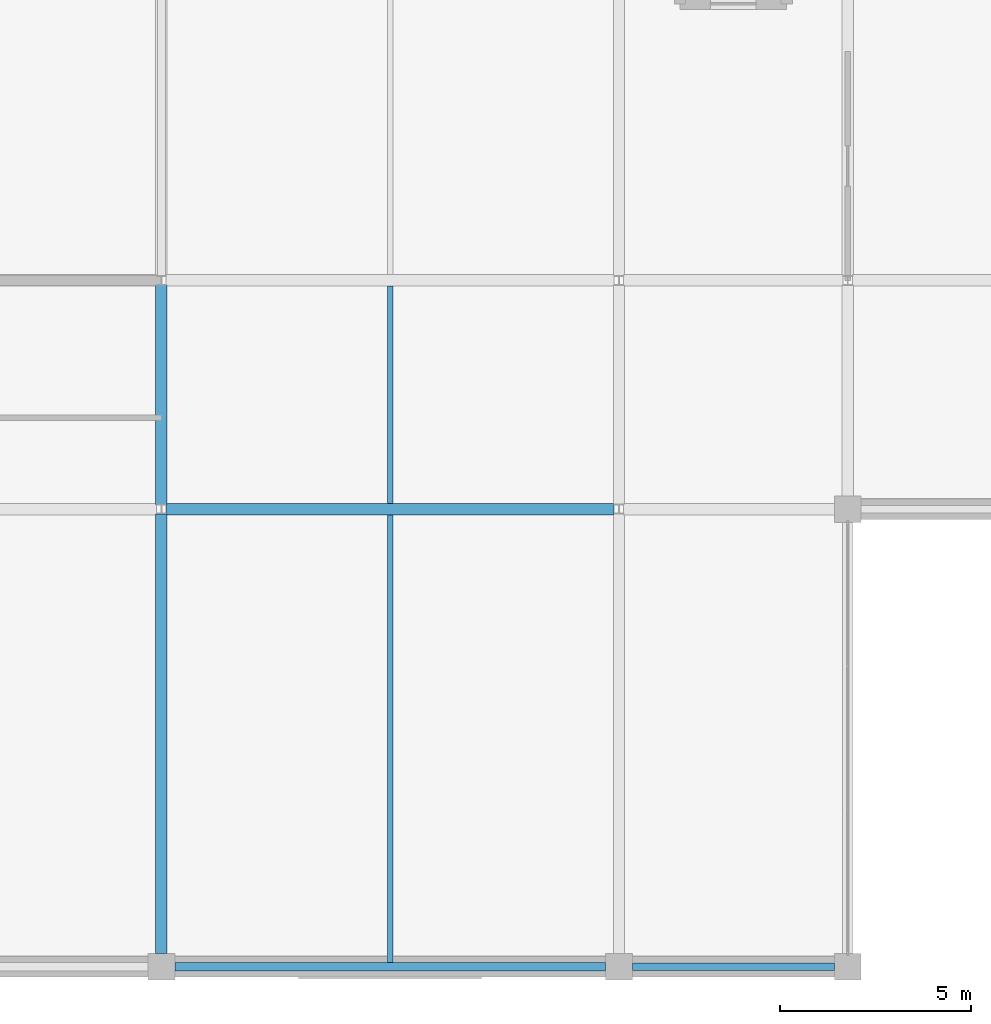
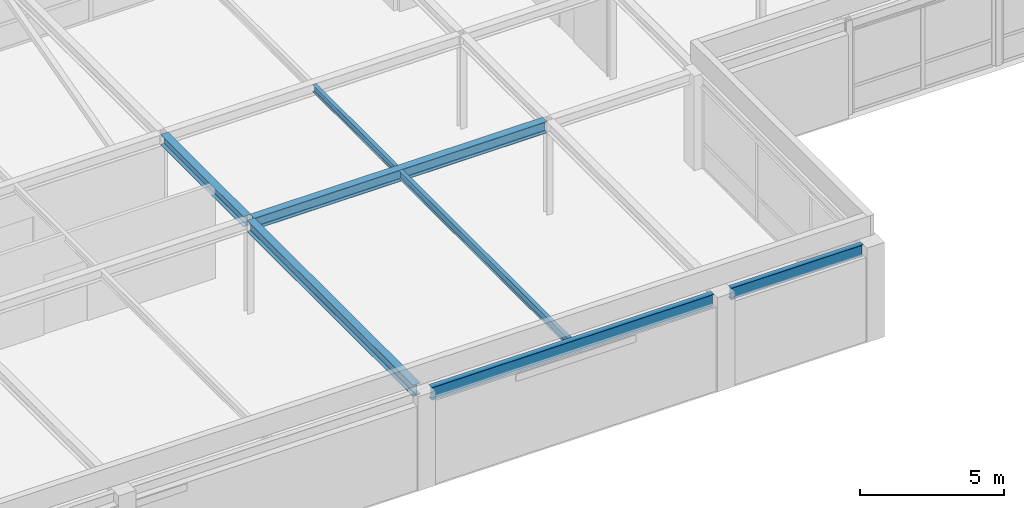
# One storey, part 32 of 111: 7 beams.
"""IFC4 building model written with IfcOpenShell, lengths in metres."""

from ifc_helpers import new_model, si_unit, direction, frame, origin, origin_2d, place, context, subcontext, project, spatial, i_section, extrude, material, material_profile, profile_set, type_object, element, save


model = new_model("IFC4")

# Units and contexts
model_context = context("Model", 3, precision=1e-05, world=origin(), true_north=direction((0.0, 1.0)))
body_context = subcontext(model_context, "Body", "Model", "MODEL_VIEW")
ifc_project = project(units=[si_unit("LENGTHUNIT", "METRE"), si_unit("AREAUNIT", "SQUARE_METRE"), si_unit("VOLUMEUNIT", "CUBIC_METRE"), si_unit("PLANEANGLEUNIT", "RADIAN"), si_unit("MASSUNIT", "GRAM", prefix="KILO")], contexts=[model_context])

# Site, building, storey
site_placement = place(None, origin())
site = spatial("IfcSite", under=ifc_project, at=site_placement, CompositionType="ELEMENT")
building_placement = place(site_placement, origin())
building = spatial("IfcBuilding", under=site, at=building_placement, Name="Zlatovratsky Civic Hall", CompositionType="ELEMENT")
storey_placement = place(building_placement, frame((0.0, 0.0, 16.5)))
storey = spatial("IfcBuildingStorey", under=building, at=storey_placement, Name="L04", CompositionType="ELEMENT", Elevation=16.5)

# Beams
ifc_material = material(Name="Steel S355", Category="steel")
ifc_material_profile_1 = material_profile(ifc_material, i_section(OverallWidth=0.300048828125, OverallDepth=0.487060546875, WebThickness=0.014404296875, FlangeThickness=0.017578125, FilletRadius=0.02392578125, at=origin_2d()), Name="50Sh2")
ifc_profile_set_1 = profile_set([ifc_material_profile_1], Name="Steel S355")
beam_type_1 = type_object("IfcBeamType", Name="Beam_ArchiveGirder_50Sh2", PredefinedType="BEAM", material=ifc_profile_set_1)
beam_1_placement = place(storey_placement, frame((36.125, 12.0, 3.756591796875), z_axis=(1.0, 0.0, 0.0), x_axis=(0.0, 1.0, 0.0)))
element("IfcBeam", 1, at=beam_1_placement, inside=storey, type_object=beam_type_1, Name="BM-3216", PredefinedType="BEAM", context=body_context, shape_type="SweptSolid", body=[
    extrude(i_section(OverallWidth=0.300048828125, OverallDepth=0.487060546875, WebThickness=0.014404296875, FlangeThickness=0.017578125, FilletRadius=0.02392578125, at=origin_2d()), origin(), (0.0, 0.0, 1.0), 11.75),
])
beam_2_placement = place(storey_placement, frame((36.0, 0.35009765625, 3.756591796875), z_axis=(0.0, 1.0, 0.0), x_axis=(-1.0, 0.0, 0.0)))
element("IfcBeam", 2, at=beam_2_placement, inside=storey, type_object=beam_type_1, Name="BM-3574", PredefinedType="BEAM", context=body_context, shape_type="SweptSolid", body=[
    extrude(i_section(OverallWidth=0.300048828125, OverallDepth=0.487060546875, WebThickness=0.014404296875, FlangeThickness=0.017578125, FilletRadius=0.02392578125, at=origin_2d()), origin(), (0.0, 0.0, 1.0), 11.52490234375),
])
ifc_material_profile_2 = material_profile(ifc_material, i_section(OverallWidth=0.198974609375, OverallDepth=0.491943359375, WebThickness=0.0087890625, FlangeThickness=0.011962890625, FilletRadius=0.01611328125, at=origin_2d()), Name="50B1")
ifc_profile_set_2 = profile_set([ifc_material_profile_2], Name="Steel S355")
beam_type_2 = type_object("IfcBeamType", Name="Beam_Spandrel_50B1", PredefinedType="SPANDREL", material=ifc_profile_set_2)
beam_3_placement = place(storey_placement, frame((48.35009765625, 0.0, 3.75390625), z_axis=(1.0, 0.0, 0.0), x_axis=(0.0, 1.0, 0.0)))
element("IfcBeam", 3, at=beam_3_placement, inside=storey, type_object=beam_type_2, Name="BM-3205", PredefinedType="SPANDREL", context=body_context, shape_type="SweptSolid", body=[
    extrude(i_section(OverallWidth=0.198974609375, OverallDepth=0.491943359375, WebThickness=0.0087890625, FlangeThickness=0.011962890625, FilletRadius=0.01611328125, at=origin_2d()), origin(), (0.0, 0.0, 1.0), 5.2998046875),
])
ifc_material_profile_3 = material_profile(ifc_material, i_section(OverallWidth=0.219970703125, OverallDepth=0.54296875, WebThickness=0.009521484375, FlangeThickness=0.013427734375, FilletRadius=0.01806640625, at=origin_2d()), Name="55B1")
ifc_profile_set_3 = profile_set([ifc_material_profile_3], Name="Steel S355")
beam_type_3 = type_object("IfcBeamType", Name="Beam_Spandrel_55B1", PredefinedType="SPANDREL", material=ifc_profile_set_3)
beam_4_placement = place(storey_placement, frame((36.35009765625, 0.0, 3.728515625), z_axis=(1.0, 0.0, 0.0), x_axis=(0.0, 1.0, 0.0)))
element("IfcBeam", 4, at=beam_4_placement, inside=storey, type_object=beam_type_3, Name="BM-3204", PredefinedType="SPANDREL", context=body_context, shape_type="SweptSolid", body=[
    extrude(i_section(OverallWidth=0.219970703125, OverallDepth=0.54296875, WebThickness=0.009521484375, FlangeThickness=0.013427734375, FilletRadius=0.01806640625, at=origin_2d()), origin(), (0.0, 0.0, 1.0), 11.2998046875),
])
ifc_material_profile_4 = material_profile(ifc_material, i_section(OverallWidth=0.300048828125, OverallDepth=0.43994140625, WebThickness=0.010986328125, FlangeThickness=0.01806640625, FilletRadius=0.02197265625, at=origin_2d()), Name="45Sh1")
ifc_profile_set_4 = profile_set([ifc_material_profile_4], Name="Steel S355")
beam_type_4 = type_object("IfcBeamType", Name="Beam_TowerLow_45Sh1", PredefinedType="BEAM", material=ifc_profile_set_4)
beam_5_placement = place(storey_placement, frame((36.0, 12.125, 3.780029296875), z_axis=(0.0, 1.0, 0.0), x_axis=(-1.0, 0.0, 0.0)))
element("IfcBeam", 5, at=beam_5_placement, inside=storey, type_object=beam_type_4, Name="BM-3575", PredefinedType="BEAM", context=body_context, shape_type="SweptSolid", body=[
    extrude(i_section(OverallWidth=0.300048828125, OverallDepth=0.43994140625, WebThickness=0.010986328125, FlangeThickness=0.01806640625, FilletRadius=0.02197265625, at=origin_2d()), origin(), (0.0, 0.0, 1.0), 5.75),
])
ifc_material_profile_5 = material_profile(ifc_material, i_section(OverallWidth=0.155029296875, OverallDepth=0.345947265625, WebThickness=0.006103515625, FlangeThickness=0.008544921875, FilletRadius=0.013916015625, at=origin_2d()), Name="35B1")
ifc_profile_set_5 = profile_set([ifc_material_profile_5], Name="Steel S355")
beam_type_5 = type_object("IfcBeamType", Name="Joist_Podium_35B1", PredefinedType="JOIST", material=ifc_profile_set_5)
beam_6_placement = place(storey_placement, frame((42.0, 0.110107421875, 3.826904296875), z_axis=(0.0, 1.0, 0.0), x_axis=(-1.0, 0.0, 0.0)))
element("IfcBeam", 6, at=beam_6_placement, inside=storey, type_object=beam_type_5, Name="BM-3831", PredefinedType="JOIST", context=body_context, shape_type="SweptSolid", body=[
    extrude(i_section(OverallWidth=0.155029296875, OverallDepth=0.345947265625, WebThickness=0.006103515625, FlangeThickness=0.008544921875, FilletRadius=0.013916015625, at=origin_2d()), origin(), (0.0, 0.0, 1.0), 11.739990234375),
])
ifc_material_profile_6 = material_profile(ifc_material, i_section(OverallWidth=0.14892578125, OverallDepth=0.2958984375, WebThickness=0.005615234375, FlangeThickness=0.008056640625, FilletRadius=0.012939453125, at=origin_2d()), Name="30B1")
ifc_profile_set_6 = profile_set([ifc_material_profile_6], Name="Steel S355")
beam_type_6 = type_object("IfcBeamType", Name="Joist_Tower_30B1", PredefinedType="JOIST", material=ifc_profile_set_6)
beam_7_placement = place(storey_placement, frame((42.0, 12.14990234375, 3.85205078125), z_axis=(0.0, 1.0, 0.0), x_axis=(-1.0, 0.0, 0.0)))
element("IfcBeam", 7, at=beam_7_placement, inside=storey, type_object=beam_type_6, Name="BM-3837", PredefinedType="JOIST", context=body_context, shape_type="SweptSolid", body=[
    extrude(i_section(OverallWidth=0.14892578125, OverallDepth=0.2958984375, WebThickness=0.005615234375, FlangeThickness=0.008056640625, FilletRadius=0.012939453125, at=origin_2d()), origin(), (0.0, 0.0, 1.0), 5.7001953125),
])

save(model, "model.ifc")
